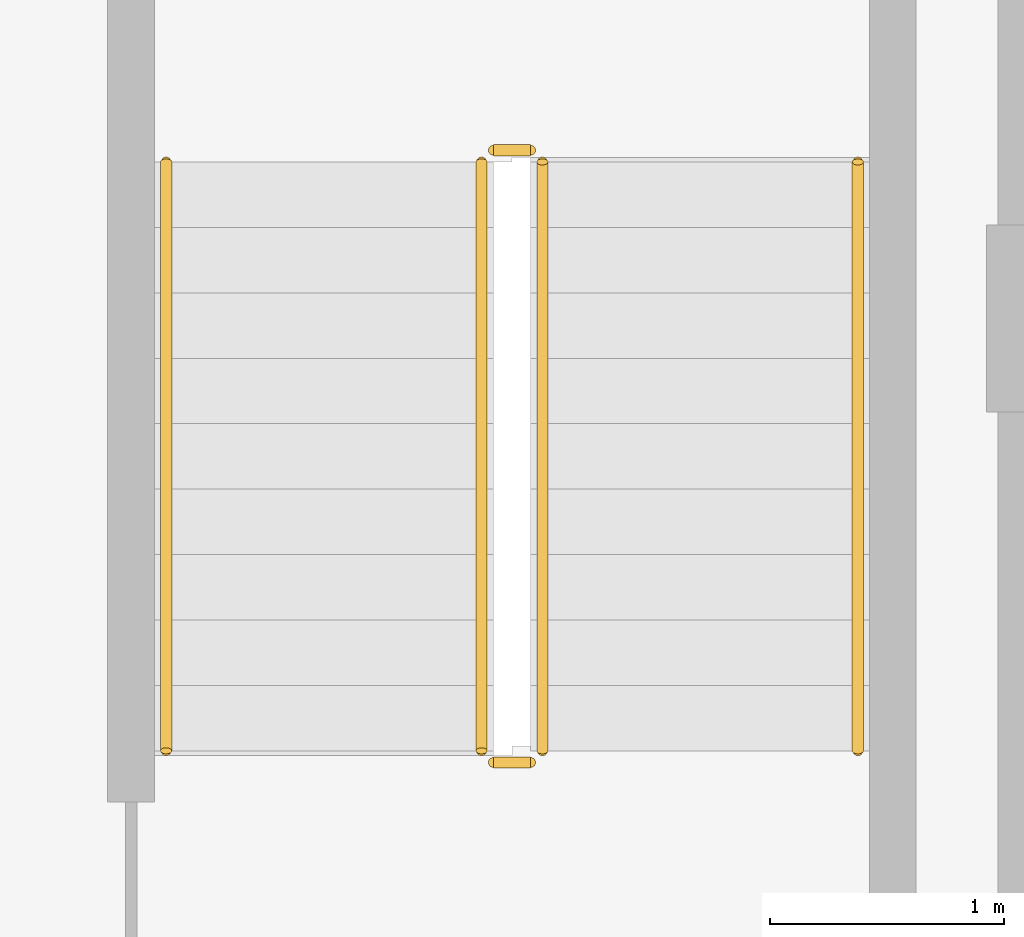
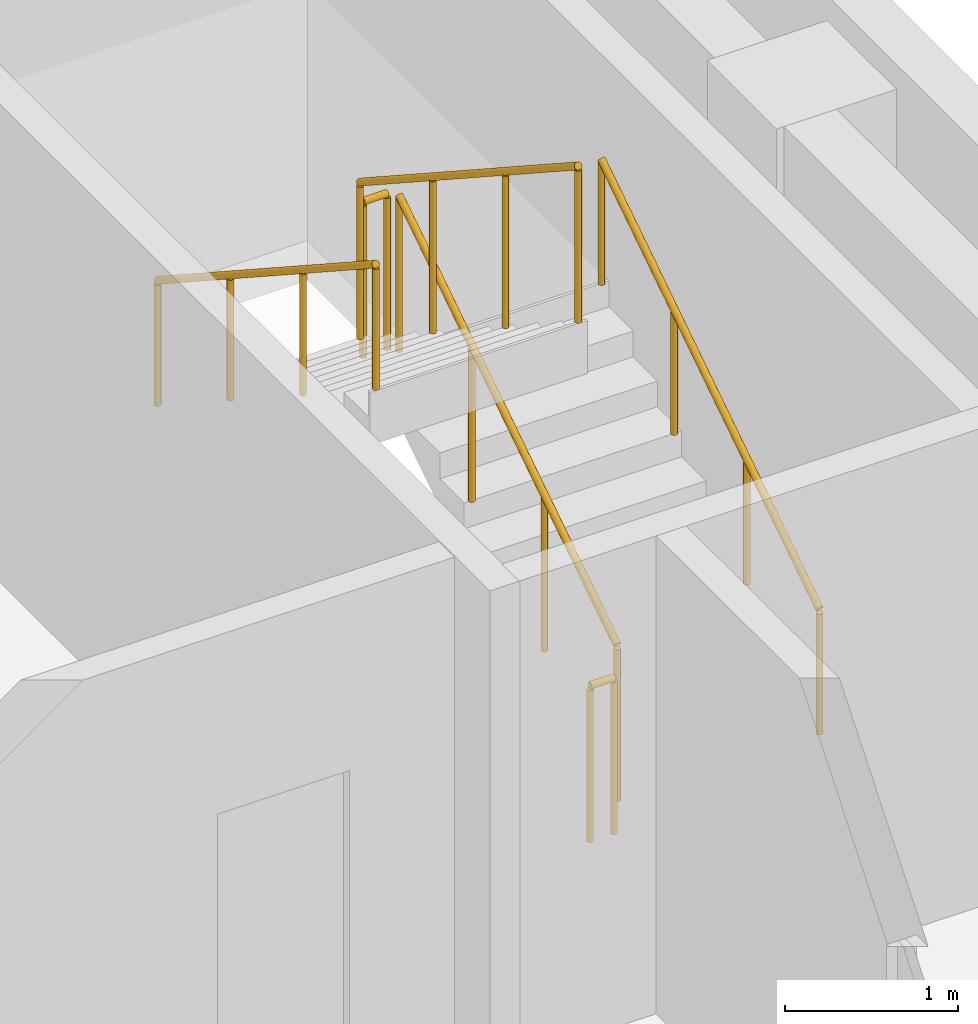
# One storey, part 15 of 16: 6 railings.
"""IFC4 building model written with IfcOpenShell, lengths in metres."""

from ifc_helpers import new_model, si_unit, direction, frame, origin, origin_2d, place, context, subcontext, project, spatial, circle, extrude, material, type_object, element, save


model = new_model("IFC4")

# Units and contexts
model_context = context("Model", 3, precision=1e-05, world=origin(), true_north=direction((0.0, 1.0)))
body_context = subcontext(model_context, "Body", "Model", "MODEL_VIEW")
ifc_project = project(units=[si_unit("LENGTHUNIT", "METRE"), si_unit("AREAUNIT", "SQUARE_METRE"), si_unit("VOLUMEUNIT", "CUBIC_METRE"), si_unit("PLANEANGLEUNIT", "RADIAN"), si_unit("MASSUNIT", "GRAM", prefix="KILO")], contexts=[model_context])

# Site, building, storey
site_placement = place(None, origin())
site = spatial("IfcSite", under=ifc_project, at=site_placement, CompositionType="ELEMENT")
building_placement = place(site_placement, origin())
building = spatial("IfcBuilding", under=site, at=building_placement, Name="Nuvemarco Arch Tower", CompositionType="ELEMENT")
storey_placement = place(building_placement, frame((0.0, 0.0, 227.39990234375)))
storey = spatial("IfcBuildingStorey", under=building, at=storey_placement, Name="L60", CompositionType="ELEMENT", Elevation=227.39990234375)

# Railings
ifc_material_1 = material(Name="Brushed stainless steel handrail", Category="steel")
railing_type_1 = type_object("IfcRailingType", Name="RL-HANDRAIL-900", PredefinedType="HANDRAIL", material=ifc_material_1)
railing_1_placement = place(storey_placement, frame((16.550048828125, 2.64990234375, 0.1826171875)))
element("IfcRailing", 1, at=railing_1_placement, inside=storey, type_object=railing_type_1, Name="L60 ST-2 stair handrail 1", PredefinedType="HANDRAIL", context=body_context, shape_type="SweptSolid", body=[
    extrude(circle(Radius=0.02392578125, at=origin_2d()), frame((0.0, 0.0, 0.8759765625), z_axis=(0.0, 0.837749427056, 0.546054848405), x_axis=(-1.0, 0.0, 0.0)), (0.0, 0.0, 1.0), 3.008056640625),
    extrude(circle(Radius=0.02099609375, at=origin_2d()), origin(), (0.0, 0.0, 1.0), 0.851806640625),
    extrude(circle(Radius=0.02099609375, at=origin_2d()), frame((0.0, 0.840087890625, 0.547607421875)), (0.0, 0.0, 1.0), 0.851806640625),
    extrude(circle(Radius=0.02099609375, at=origin_2d()), frame((0.0, 1.679931640625, 1.094970703125)), (0.0, 0.0, 1.0), 0.851806640625),
    extrude(circle(Radius=0.02099609375, at=origin_2d()), frame((0.0, 2.52001953125, 1.642578125)), (0.0, 0.0, 1.0), 0.851806640625),
])
railing_2_placement = place(storey_placement, frame((13.590087890625, 5.169921875, 2.007568359375)))
element("IfcRailing", 2, at=railing_2_placement, inside=storey, type_object=railing_type_1, Name="L60 ST-2 stair handrail 2", PredefinedType="HANDRAIL", context=body_context, shape_type="SweptSolid", body=[
    extrude(circle(Radius=0.02392578125, at=origin_2d()), frame((0.0, 0.0, 0.8759765625), z_axis=(0.0, -0.837749427056, 0.546054848405), x_axis=(1.0, 0.0, 0.0)), (0.0, 0.0, 1.0), 3.008056640625),
    extrude(circle(Radius=0.02099609375, at=origin_2d()), origin(), (0.0, 0.0, 1.0), 0.851806640625),
    extrude(circle(Radius=0.02099609375, at=origin_2d()), frame((0.0, -0.840087890625, 0.547607421875)), (0.0, 0.0, 1.0), 0.851806640625),
    extrude(circle(Radius=0.02099609375, at=origin_2d()), frame((0.0, -1.679931640625, 1.094970703125)), (0.0, 0.0, 1.0), 0.851806640625),
    extrude(circle(Radius=0.02099609375, at=origin_2d()), frame((0.0, -2.52001953125, 1.642578125)), (0.0, 0.0, 1.0), 0.851806640625),
])
ifc_material_2 = material(Name="Painted balustrade steel S355", Category="steel")
railing_type_2 = type_object("IfcRailingType", Name="RL-STAIR-GUARD", PredefinedType="GUARDRAIL", material=ifc_material_2)
railing_3_placement = place(storey_placement, frame((15.199951171875, 2.64990234375, 0.1826171875)))
element("IfcRailing", 3, at=railing_3_placement, inside=storey, type_object=railing_type_2, Name="L60 ST-2 stair guard 1", PredefinedType="GUARDRAIL", context=body_context, shape_type="SweptSolid", body=[
    extrude(circle(Radius=0.02392578125, at=origin_2d()), frame((0.0, 0.0, 1.09619140625), z_axis=(0.0, 0.837749427056, 0.546054848405), x_axis=(-1.0, 0.0, 0.0)), (0.0, 0.0, 1.0), 3.008056640625),
    extrude(circle(Radius=0.02099609375, at=origin_2d()), origin(), (0.0, 0.0, 1.0), 1.072021484375),
    extrude(circle(Radius=0.02099609375, at=origin_2d()), frame((0.0, 0.840087890625, 0.547607421875)), (0.0, 0.0, 1.0), 1.072021484375),
    extrude(circle(Radius=0.02099609375, at=origin_2d()), frame((0.0, 1.679931640625, 1.094970703125)), (0.0, 0.0, 1.0), 1.072021484375),
    extrude(circle(Radius=0.02099609375, at=origin_2d()), frame((0.0, 2.52001953125, 1.642578125)), (0.0, 0.0, 1.0), 1.072021484375),
])
railing_4_placement = place(storey_placement, frame((15.14990234375, 5.219970703125, 1.8251953125)))
element("IfcRailing", 4, at=railing_4_placement, inside=storey, type_object=railing_type_2, Name="L60 ST-2 stair guard 2", PredefinedType="GUARDRAIL", context=body_context, shape_type="SweptSolid", body=[
    extrude(circle(Radius=0.02392578125, at=origin_2d()), frame((0.0, 0.0, 1.09619140625), z_axis=(-1.0, 0.0, 0.0), x_axis=(0.0, -1.0, 0.0)), (0.0, 0.0, 1.0), 0.159912109375),
    extrude(circle(Radius=0.02099609375, at=origin_2d()), origin(), (0.0, 0.0, 1.0), 1.072021484375),
    extrude(circle(Radius=0.02099609375, at=origin_2d()), frame((-0.159912109375, 0.0, 0.0)), (0.0, 0.0, 1.0), 1.072021484375),
])
railing_5_placement = place(storey_placement, frame((14.93994140625, 5.169921875, 2.007568359375)))
element("IfcRailing", 5, at=railing_5_placement, inside=storey, type_object=railing_type_2, Name="L60 ST-2 stair guard 3", PredefinedType="GUARDRAIL", context=body_context, shape_type="SweptSolid", body=[
    extrude(circle(Radius=0.02392578125, at=origin_2d()), frame((0.0, 0.0, 1.09619140625), z_axis=(0.0, -0.837749427056, 0.546054848405), x_axis=(1.0, 0.0, 0.0)), (0.0, 0.0, 1.0), 3.008056640625),
    extrude(circle(Radius=0.02099609375, at=origin_2d()), origin(), (0.0, 0.0, 1.0), 1.072021484375),
    extrude(circle(Radius=0.02099609375, at=origin_2d()), frame((0.0, -0.840087890625, 0.547607421875)), (0.0, 0.0, 1.0), 1.072021484375),
    extrude(circle(Radius=0.02099609375, at=origin_2d()), frame((0.0, -1.679931640625, 1.094970703125)), (0.0, 0.0, 1.0), 1.072021484375),
    extrude(circle(Radius=0.02099609375, at=origin_2d()), frame((0.0, -2.52001953125, 1.642578125)), (0.0, 0.0, 1.0), 1.072021484375),
])
railing_6_placement = place(storey_placement, frame((15.14990234375, 2.60009765625, 0.0)))
element("IfcRailing", 6, at=railing_6_placement, inside=storey, type_object=railing_type_2, Name="L60 ST-2 stair guard 4", PredefinedType="GUARDRAIL", context=body_context, shape_type="SweptSolid", body=[
    extrude(circle(Radius=0.02392578125, at=origin_2d()), frame((0.0, 0.0, 1.09619140625), z_axis=(-1.0, 0.0, 0.0), x_axis=(0.0, -1.0, 0.0)), (0.0, 0.0, 1.0), 0.159912109375),
    extrude(circle(Radius=0.02099609375, at=origin_2d()), origin(), (0.0, 0.0, 1.0), 1.072021484375),
    extrude(circle(Radius=0.02099609375, at=origin_2d()), frame((-0.159912109375, 0.0, 0.0)), (0.0, 0.0, 1.0), 1.072021484375),
])

save(model, "model.ifc")
